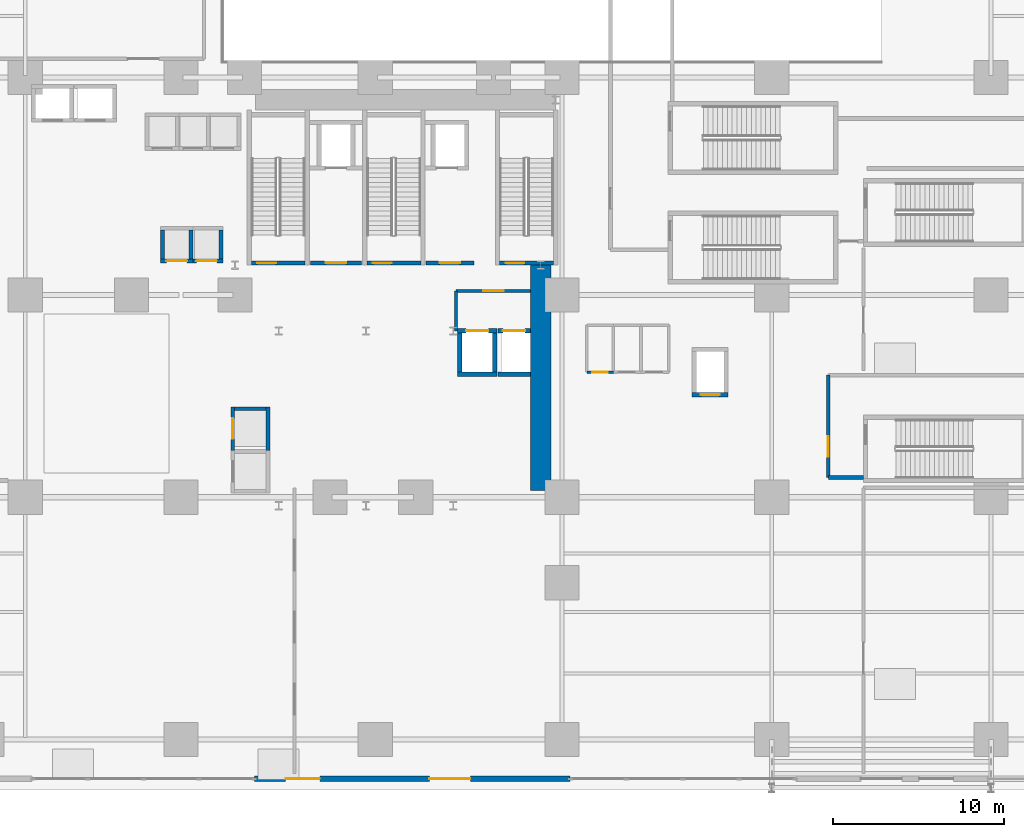
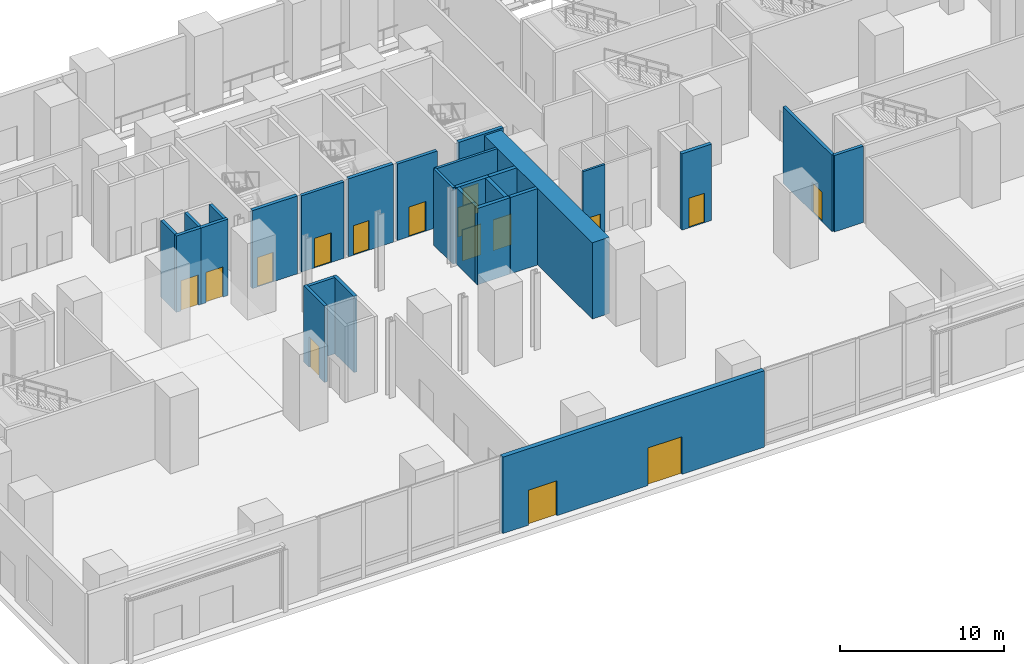
# One storey, part 14 of 25: 27 walls, 16 doors, 16 openings.
"""IFC4 building model written with IfcOpenShell, lengths in metres."""

from ifc_helpers import new_model, si_unit, direction, frame, frame_2d, origin, place, context, subcontext, project, spatial, rectangle, extrude, source, transform, mapped, material, layer, layer_set, type_object, element, fill, save


model = new_model("IFC4")

# Units and contexts
model_context = context("Model", 3, precision=1e-05, world=origin(), true_north=direction((0.0, 1.0)))
body_context = subcontext(model_context, "Body", "Model", "MODEL_VIEW")
ifc_project = project(units=[si_unit("LENGTHUNIT", "METRE"), si_unit("AREAUNIT", "SQUARE_METRE"), si_unit("VOLUMEUNIT", "CUBIC_METRE"), si_unit("PLANEANGLEUNIT", "RADIAN"), si_unit("MASSUNIT", "GRAM", prefix="KILO")], contexts=[model_context])

# Site, building, storey
site_placement = place(None, origin())
site = spatial("IfcSite", under=ifc_project, at=site_placement, CompositionType="ELEMENT")
building_placement = place(site_placement, origin())
building = spatial("IfcBuilding", under=site, at=building_placement, Name="Vardaveli Station Tower", CompositionType="ELEMENT")
storey_placement = place(building_placement, origin())
storey = spatial("IfcBuildingStorey", under=building, at=storey_placement, Name="L01", CompositionType="ELEMENT", Elevation=0.0)

# Wall
ifc_material_1 = material(Name="Concrete C70/85", Category="concrete")
ifc_layer_1 = layer(ifc_material_1, 1.199951171875, Name="Concrete C70/85")
ifc_layer_set_1 = layer_set([ifc_layer_1], Name="Concrete C70/85")
wall_type_1 = type_object("IfcWallType", Name="WAL-CORE-1200", PredefinedType="SHEAR", material=ifc_layer_set_1)
shared_shape_1 = source(origin(), body_context, "Body", "SweptSolid", [
    extrude(rectangle(XDim=13.14990234375, YDim=1.199951171875, at=frame_2d((6.574951171875, 0.0))), origin(), (0.0, 0.0, 1.0), 5.679931640625),
])
wall_1_placement = place(storey_placement, frame((46.5, 17.5, 0.0), z_axis=(0.0, 0.0, 1.0), x_axis=(0.0, 1.0, 0.0)))
element("IfcWall", 1, at=wall_1_placement, inside=storey, type_object=wall_type_1, Name="SW-L01-EAST2", PredefinedType="SHEAR", context=body_context, shape_type="MappedRepresentation", body=[
    mapped(shared_shape_1, transform((0.0, 0.0, 0.0), scale=1.0)),
])

# Wall, openings, doors
ifc_material_2 = material(Name="Precast concrete C45/55", Category="concrete")
ifc_layer_2 = layer(ifc_material_2, 0.320068359375, Name="Precast concrete C45/55")
ifc_layer_set_2 = layer_set([ifc_layer_2], Name="Precast concrete C45/55")
wall_type_2 = type_object("IfcWallType", Name="WAL-EXT-STONE-320", PredefinedType="SOLIDWALL", material=ifc_layer_set_2)
shared_shape_2 = source(origin(), body_context, "Body", "SweptSolid", [
    extrude(rectangle(XDim=18.39990234375, YDim=0.320068359375, at=frame_2d((9.199951171875, 0.0))), origin(), (0.0, 0.0, 1.0), 5.679931640625),
])
wall_2_placement = place(storey_placement, frame((29.800048828125, 0.64990234375, 0.0), z_axis=(0.0, 0.0, 1.0), x_axis=(1.0, 0.0, 0.0)))
wall_2 = element("IfcWall", 2, at=wall_2_placement, inside=storey, type_object=wall_type_2, Name="EW-L01-S3", PredefinedType="SOLIDWALL", context=body_context, shape_type="MappedRepresentation", body=[
    mapped(shared_shape_2, transform((0.0, 0.0, 0.0), scale=1.0)),
])
shared_shape_3 = source(origin(), body_context, "Body", "SweptSolid", [
    extrude(rectangle(XDim=2.0, YDim=2.60009765625, at=frame_2d((1.0, 1.300048828125))), frame((0.0, 0.169921875, 0.0), z_axis=(0.0, -1.0, 0.0), x_axis=(1.0, 0.0, 0.0)), (0.0, 0.0, 1.0), 0.340087890625),
])
opening_1_placement = place(wall_2_placement, frame((1.800048828125, 0.0, 0.0)))
opening_1 = element("IfcOpeningElement", 3, at=opening_1_placement, cuts=wall_2, Name="Opening EX-02", PredefinedType="OPENING", context=body_context, shape_type="MappedRepresentation", body=[
    mapped(shared_shape_3, transform((0.0, 0.0, 0.0), scale=1.0)),
])
shared_shape_4 = source(origin(), body_context, "Body", "SweptSolid", [
    extrude(rectangle(XDim=2.39990234375, YDim=2.800048828125, at=frame_2d((1.199951171875, 1.39990234375))), frame((0.0, 0.169921875, 0.0), z_axis=(0.0, -1.0, 0.0), x_axis=(1.0, 0.0, 0.0)), (0.0, 0.0, 1.0), 0.340087890625),
])
opening_2_placement = place(wall_2_placement, frame((10.199951171875, 0.0, 0.0)))
opening_2 = element("IfcOpeningElement", 4, at=opening_2_placement, cuts=wall_2, Name="Opening EN-D1", PredefinedType="OPENING", context=body_context, shape_type="MappedRepresentation", body=[
    mapped(shared_shape_4, transform((0.0, 0.0, 0.0), scale=1.0)),
])
ifc_material_3 = material(Name="Brushed stainless steel and glass", Category="steel")
door_type_1 = type_object("IfcDoorType", Name="DR-EX-2000x2600", OperationType="DOUBLE_DOOR_SINGLE_SWING", PredefinedType="DOOR", material=ifc_material_3)
shared_shape_5 = source(origin(), body_context, "Body", "SweptSolid", [
    extrude(rectangle(XDim=2.0, YDim=2.60009765625, at=frame_2d((1.0, 1.300048828125))), frame((0.0, 0.02490234375, 0.0), z_axis=(0.0, -1.0, 0.0), x_axis=(1.0, 0.0, 0.0)), (0.0, 0.0, 1.0), 0.050048828125),
])
door_1_placement = place(opening_1_placement, frame((2.0, 0.0, 0.0), z_axis=(0.0, 0.0, 1.0), x_axis=(-1.0, 0.0, 0.0)))
door_1 = element("IfcDoor", 5, at=door_1_placement, inside=storey, type_object=door_type_1, Name="EX-02", OperationType="DOUBLE_DOOR_SINGLE_SWING", OverallHeight=2.60009765625, OverallWidth=2.0, PredefinedType="DOOR", context=body_context, shape_type="MappedRepresentation", body=[
    mapped(shared_shape_5, transform((0.0, 0.0, 0.0), scale=1.0)),
])
fill(opening_1, door_1)
door_type_2 = type_object("IfcDoorType", Name="DR-ENT-2400x2800", OperationType="DOUBLE_DOOR_SINGLE_SWING", PredefinedType="DOOR", material=ifc_material_3)
shared_shape_6 = source(origin(), body_context, "Body", "SweptSolid", [
    extrude(rectangle(XDim=2.39990234375, YDim=2.800048828125, at=frame_2d((1.199951171875, 1.39990234375))), frame((0.0, 0.02490234375, 0.0), z_axis=(0.0, -1.0, 0.0), x_axis=(1.0, 0.0, 0.0)), (0.0, 0.0, 1.0), 0.050048828125),
])
door_2_placement = place(opening_2_placement, frame((2.39990234375, 0.0, 0.0), z_axis=(0.0, 0.0, 1.0), x_axis=(-1.0, 0.0, 0.0)))
door_2 = element("IfcDoor", 6, at=door_2_placement, inside=storey, type_object=door_type_2, Name="EN-S2", OperationType="DOUBLE_DOOR_SINGLE_SWING", OverallHeight=2.800048828125, OverallWidth=2.39990234375, PredefinedType="DOOR", context=body_context, shape_type="MappedRepresentation", body=[
    mapped(shared_shape_6, transform((0.0, 0.0, 0.0), scale=1.0)),
])
fill(opening_2, door_2)

# Wall, opening, door
ifc_material_4 = material(Name="Concrete C40/50", Category="concrete")
ifc_layer_3 = layer(ifc_material_4, 0.25, Name="Concrete C40/50")
ifc_layer_set_3 = layer_set([ifc_layer_3], Name="Concrete C40/50")
wall_type_3 = type_object("IfcWallType", Name="WAL-SHAFT-250", PredefinedType="SOLIDWALL", material=ifc_layer_set_3)
shared_shape_7 = source(origin(), body_context, "Body", "SweptSolid", [
    extrude(rectangle(XDim=3.14990234375, YDim=0.25, at=frame_2d((1.574951171875, 0.0))), origin(), (0.0, 0.0, 1.0), 5.800048828125),
])
wall_3_placement = place(storey_placement, frame((29.60009765625, 30.77490234375, 0.0), z_axis=(0.0, 0.0, 1.0), x_axis=(1.0, 0.0, 0.0)))
wall_3 = element("IfcWall", 7, at=wall_3_placement, inside=storey, type_object=wall_type_3, Name="W-L01-ST-1S", PredefinedType="SOLIDWALL", context=body_context, shape_type="MappedRepresentation", body=[
    mapped(shared_shape_7, transform((0.0, 0.0, 0.0), scale=1.0)),
])
shared_shape_8 = source(origin(), body_context, "Body", "SweptSolid", [
    extrude(rectangle(XDim=1.10009765625, YDim=2.199951171875, at=frame_2d((0.550048828125, 1.10009765625))), frame((0.0, 0.135009765625, 0.0), z_axis=(0.0, -1.0, 0.0), x_axis=(1.0, 0.0, 0.0)), (0.0, 0.0, 1.0), 0.27001953125),
])
opening_3_placement = place(wall_3_placement, frame((0.35009765625, 0.0, 0.0)))
opening_3 = element("IfcOpeningElement", 8, at=opening_3_placement, cuts=wall_3, Name="Opening D-04", PredefinedType="OPENING", context=body_context, shape_type="MappedRepresentation", body=[
    mapped(shared_shape_8, transform((0.0, 0.0, 0.0), scale=1.0)),
])
ifc_material_5 = material(Name="Steel smokeproof fire doorset", Category="steel")
door_type_3 = type_object("IfcDoorType", Name="DR-ST-1100x2200", OperationType="NOTDEFINED", PredefinedType="DOOR", material=ifc_material_5)
shared_shape_9 = source(origin(), body_context, "Body", "SweptSolid", [
    extrude(rectangle(XDim=1.10009765625, YDim=2.199951171875, at=frame_2d((0.550048828125, 1.10009765625))), frame((0.0, 0.02490234375, 0.0), z_axis=(0.0, -1.0, 0.0), x_axis=(1.0, 0.0, 0.0)), (0.0, 0.0, 1.0), 0.050048828125),
])
door_3_placement = place(opening_3_placement, origin())
door_3 = element("IfcDoor", 9, at=door_3_placement, inside=storey, type_object=door_type_3, Name="DST-1-L01", OperationType="SINGLE_SWING_LEFT", OverallHeight=2.199951171875, OverallWidth=1.10009765625, PredefinedType="DOOR", context=body_context, shape_type="MappedRepresentation", body=[
    mapped(shared_shape_9, transform((0.0, 0.0, 0.0), scale=1.0)),
])
fill(opening_3, door_3)

wall_4_placement = place(storey_placement, frame((36.35009765625, 30.77490234375, 0.0), z_axis=(0.0, 0.0, 1.0), x_axis=(1.0, 0.0, 0.0)))
wall_4 = element("IfcWall", 10, at=wall_4_placement, inside=storey, type_object=wall_type_3, Name="W-L01-ST-2S", PredefinedType="SOLIDWALL", context=body_context, shape_type="MappedRepresentation", body=[
    mapped(shared_shape_7, transform((0.0, 0.0, 0.0), scale=1.0)),
])
opening_4_placement = place(wall_4_placement, frame((0.35009765625, 0.0, 0.0)))
opening_4 = element("IfcOpeningElement", 11, at=opening_4_placement, cuts=wall_4, Name="Opening D-04", PredefinedType="OPENING", context=body_context, shape_type="MappedRepresentation", body=[
    mapped(shared_shape_8, transform((0.0, 0.0, 0.0), scale=1.0)),
])
door_4_placement = place(opening_4_placement, origin())
door_4 = element("IfcDoor", 12, at=door_4_placement, inside=storey, type_object=door_type_3, Name="DST-2-L01", OperationType="SINGLE_SWING_LEFT", OverallHeight=2.199951171875, OverallWidth=1.10009765625, PredefinedType="DOOR", context=body_context, shape_type="MappedRepresentation", body=[
    mapped(shared_shape_9, transform((0.0, 0.0, 0.0), scale=1.0)),
])
fill(opening_4, door_4)

wall_5_placement = place(storey_placement, frame((44.10009765625, 30.77490234375, 0.0), z_axis=(0.0, 0.0, 1.0), x_axis=(1.0, 0.0, 0.0)))
wall_5 = element("IfcWall", 13, at=wall_5_placement, inside=storey, type_object=wall_type_3, Name="W-L01-ST-3S", PredefinedType="SOLIDWALL", context=body_context, shape_type="MappedRepresentation", body=[
    mapped(shared_shape_7, transform((0.0, 0.0, 0.0), scale=1.0)),
])
opening_5_placement = place(wall_5_placement, frame((0.35009765625, 0.0, 0.0)))
opening_5 = element("IfcOpeningElement", 14, at=opening_5_placement, cuts=wall_5, Name="Opening D-04", PredefinedType="OPENING", context=body_context, shape_type="MappedRepresentation", body=[
    mapped(shared_shape_8, transform((0.0, 0.0, 0.0), scale=1.0)),
])
door_5_placement = place(opening_5_placement, origin())
door_5 = element("IfcDoor", 15, at=door_5_placement, inside=storey, type_object=door_type_3, Name="DST-3-L01", OperationType="SINGLE_SWING_LEFT", OverallHeight=2.199951171875, OverallWidth=1.10009765625, PredefinedType="DOOR", context=body_context, shape_type="MappedRepresentation", body=[
    mapped(shared_shape_9, transform((0.0, 0.0, 0.0), scale=1.0)),
])
fill(opening_5, door_5)

ifc_layer_4 = layer(ifc_material_4, 0.219970703125, Name="Concrete C40/50")
ifc_layer_set_4 = layer_set([ifc_layer_4], Name="Concrete C40/50")
wall_type_4 = type_object("IfcWallType", Name="WAL-FFLOBBY-220", PredefinedType="SOLIDWALL", material=ifc_layer_set_4)
shared_shape_10 = source(origin(), body_context, "Body", "SweptSolid", [
    extrude(rectangle(XDim=3.0, YDim=0.219970703125, at=frame_2d((1.5, 0.0))), origin(), (0.0, 0.0, 1.0), 5.679931640625),
])
wall_6_placement = place(storey_placement, frame((33.050048828125, 30.780029296875, 0.0), z_axis=(0.0, 0.0, 1.0), x_axis=(1.0, 0.0, 0.0)))
wall_6 = element("IfcWall", 16, at=wall_6_placement, inside=storey, type_object=wall_type_4, Name="W-L01-FFL1S", PredefinedType="SOLIDWALL", context=body_context, shape_type="MappedRepresentation", body=[
    mapped(shared_shape_10, transform((0.0, 0.0, 0.0), scale=1.0)),
])
shared_shape_11 = source(origin(), body_context, "Body", "SweptSolid", [
    extrude(rectangle(XDim=1.199951171875, YDim=2.199951171875, at=frame_2d((0.60009765625, 1.10009765625))), frame((0.0, 0.1201171875, 0.0), z_axis=(0.0, -1.0, 0.0), x_axis=(1.0, 0.0, 0.0)), (0.0, 0.0, 1.0), 0.239990234375),
])
opening_6_placement = place(wall_6_placement, frame((0.89990234375, 0.0, 0.0)))
opening_6 = element("IfcOpeningElement", 17, at=opening_6_placement, cuts=wall_6, Name="Opening D-03", PredefinedType="OPENING", context=body_context, shape_type="MappedRepresentation", body=[
    mapped(shared_shape_11, transform((0.0, 0.0, 0.0), scale=1.0)),
])
door_type_4 = type_object("IfcDoorType", Name="DR-FFL-1200x2200", OperationType="NOTDEFINED", PredefinedType="DOOR", material=ifc_material_5)
shared_shape_12 = source(origin(), body_context, "Body", "SweptSolid", [
    extrude(rectangle(XDim=1.199951171875, YDim=2.199951171875, at=frame_2d((0.60009765625, 1.10009765625))), frame((0.0, 0.02490234375, 0.0), z_axis=(0.0, -1.0, 0.0), x_axis=(1.0, 0.0, 0.0)), (0.0, 0.0, 1.0), 0.050048828125),
])
door_6_placement = place(opening_6_placement, origin())
door_6 = element("IfcDoor", 18, at=door_6_placement, inside=storey, type_object=door_type_4, Name="DFFL1-L01", OperationType="SINGLE_SWING_LEFT", OverallHeight=2.199951171875, OverallWidth=1.199951171875, PredefinedType="DOOR", context=body_context, shape_type="MappedRepresentation", body=[
    mapped(shared_shape_12, transform((0.0, 0.0, 0.0), scale=1.0)),
])
fill(opening_6, door_6)

shared_shape_13 = source(origin(), body_context, "Body", "SweptSolid", [
    extrude(rectangle(XDim=2.800048828125, YDim=0.219970703125, at=frame_2d((1.39990234375, 0.0))), origin(), (0.0, 0.0, 1.0), 5.679931640625),
])
wall_7_placement = place(storey_placement, frame((39.800048828125, 30.780029296875, 0.0), z_axis=(0.0, 0.0, 1.0), x_axis=(1.0, 0.0, 0.0)))
wall_7 = element("IfcWall", 19, at=wall_7_placement, inside=storey, type_object=wall_type_4, Name="W-L01-FFL2S", PredefinedType="SOLIDWALL", context=body_context, shape_type="MappedRepresentation", body=[
    mapped(shared_shape_13, transform((0.0, 0.0, 0.0), scale=1.0)),
])
opening_7_placement = place(wall_7_placement, frame((0.800048828125, 0.0, 0.0)))
opening_7 = element("IfcOpeningElement", 20, at=opening_7_placement, cuts=wall_7, Name="Opening D-03", PredefinedType="OPENING", context=body_context, shape_type="MappedRepresentation", body=[
    mapped(shared_shape_11, transform((0.0, 0.0, 0.0), scale=1.0)),
])
door_7_placement = place(opening_7_placement, origin())
door_7 = element("IfcDoor", 21, at=door_7_placement, inside=storey, type_object=door_type_4, Name="DFFL2-L01", OperationType="SINGLE_SWING_RIGHT", OverallHeight=2.199951171875, OverallWidth=1.199951171875, PredefinedType="DOOR", context=body_context, shape_type="MappedRepresentation", body=[
    mapped(shared_shape_12, transform((0.0, 0.0, 0.0), scale=1.0)),
])
fill(opening_7, door_7)

shared_shape_14 = source(origin(), body_context, "Body", "SweptSolid", [
    extrude(rectangle(XDim=2.099853515625, YDim=0.25, at=frame_2d((1.0498046875, 0.0))), origin(), (0.0, 0.0, 1.0), 5.679931640625),
])
wall_8_placement = place(storey_placement, frame((55.35009765625, 23.074951171875, 0.0), z_axis=(0.0, 0.0, 1.0), x_axis=(1.0, 0.0, 0.0)))
wall_8 = element("IfcWall", 22, at=wall_8_placement, inside=storey, type_object=wall_type_3, Name="SHW-STN-02-L01-S", PredefinedType="SOLIDWALL", context=body_context, shape_type="MappedRepresentation", body=[
    mapped(shared_shape_14, transform((0.0, 0.0, 0.0), scale=1.0)),
])
opening_8_placement = place(wall_8_placement, frame((0.5, 0.0, 0.0)))
opening_8 = element("IfcOpeningElement", 23, at=opening_8_placement, cuts=wall_8, Name="Opening LD-01", PredefinedType="OPENING", context=body_context, shape_type="MappedRepresentation", body=[
    mapped(shared_shape_8, transform((0.0, 0.0, 0.0), scale=1.0)),
])
ifc_material_6 = material(Name="Brushed stainless steel", Category="steel")
door_type_5 = type_object("IfcDoorType", Name="DR-LD-1100x2200", OperationType="DOUBLE_DOOR_SLIDING", PredefinedType="DOOR", material=ifc_material_6)
door_8_placement = place(opening_8_placement, origin())
door_8 = element("IfcDoor", 24, at=door_8_placement, inside=storey, type_object=door_type_5, Name="LD-STN-02-L01", OperationType="DOUBLE_DOOR_SLIDING", OverallHeight=2.199951171875, OverallWidth=1.10009765625, PredefinedType="DOOR", context=body_context, shape_type="MappedRepresentation", body=[
    mapped(shared_shape_9, transform((0.0, 0.0, 0.0), scale=1.0)),
])
fill(opening_8, door_8)

shared_shape_15 = source(origin(), body_context, "Body", "SweptSolid", [
    extrude(rectangle(XDim=1.89013671875, YDim=0.219970703125, at=frame_2d((0.945068359375, 0.0))), origin(), (0.0, 0.0, 1.0), 5.679931640625),
])
wall_9_placement = place(storey_placement, frame((24.304931640625, 30.889892578125, 0.0), z_axis=(0.0, 0.0, 1.0), x_axis=(1.0, 0.0, 0.0)))
wall_9 = element("IfcWall", 25, at=wall_9_placement, inside=storey, type_object=wall_type_4, Name="SHW-SHU-01-L01-S", PredefinedType="SOLIDWALL", context=body_context, shape_type="MappedRepresentation", body=[
    mapped(shared_shape_15, transform((0.0, 0.0, 0.0), scale=1.0)),
])
shared_shape_16 = source(origin(), body_context, "Body", "SweptSolid", [
    extrude(rectangle(XDim=1.199951171875, YDim=2.25, at=frame_2d((0.60009765625, 1.125))), frame((0.0, 0.1201171875, 0.0), z_axis=(0.0, -1.0, 0.0), x_axis=(1.0, 0.0, 0.0)), (0.0, 0.0, 1.0), 0.239990234375),
])
opening_9_placement = place(wall_9_placement, frame((0.344970703125, 0.0, 0.0)))
opening_9 = element("IfcOpeningElement", 26, at=opening_9_placement, cuts=wall_9, Name="Opening LD-02", PredefinedType="OPENING", context=body_context, shape_type="MappedRepresentation", body=[
    mapped(shared_shape_16, transform((0.0, 0.0, 0.0), scale=1.0)),
])
door_type_6 = type_object("IfcDoorType", Name="DR-LD-1200x2250", OperationType="DOUBLE_DOOR_SLIDING", PredefinedType="DOOR", material=ifc_material_6)
shared_shape_17 = source(origin(), body_context, "Body", "SweptSolid", [
    extrude(rectangle(XDim=1.199951171875, YDim=2.25, at=frame_2d((0.60009765625, 1.125))), frame((0.0, 0.02490234375, 0.0), z_axis=(0.0, -1.0, 0.0), x_axis=(1.0, 0.0, 0.0)), (0.0, 0.0, 1.0), 0.050048828125),
])
door_9_placement = place(opening_9_placement, origin())
door_9 = element("IfcDoor", 27, at=door_9_placement, inside=storey, type_object=door_type_6, Name="LD-SHU-01-L01", OperationType="DOUBLE_DOOR_SLIDING", OverallHeight=2.25, OverallWidth=1.199951171875, PredefinedType="DOOR", context=body_context, shape_type="MappedRepresentation", body=[
    mapped(shared_shape_17, transform((0.0, 0.0, 0.0), scale=1.0)),
])
fill(opening_9, door_9)

wall_10_placement = place(storey_placement, frame((26.054931640625, 30.889892578125, 0.0), z_axis=(0.0, 0.0, 1.0), x_axis=(1.0, 0.0, 0.0)))
wall_10 = element("IfcWall", 28, at=wall_10_placement, inside=storey, type_object=wall_type_4, Name="SHW-SHU-02-L01-S", PredefinedType="SOLIDWALL", context=body_context, shape_type="MappedRepresentation", body=[
    mapped(shared_shape_15, transform((0.0, 0.0, 0.0), scale=1.0)),
])
opening_10_placement = place(wall_10_placement, frame((0.344970703125, 0.0, 0.0)))
opening_10 = element("IfcOpeningElement", 29, at=opening_10_placement, cuts=wall_10, Name="Opening LD-02", PredefinedType="OPENING", context=body_context, shape_type="MappedRepresentation", body=[
    mapped(shared_shape_16, transform((0.0, 0.0, 0.0), scale=1.0)),
])
door_10_placement = place(opening_10_placement, origin())
door_10 = element("IfcDoor", 30, at=door_10_placement, inside=storey, type_object=door_type_6, Name="LD-SHU-02-L01", OperationType="DOUBLE_DOOR_SLIDING", OverallHeight=2.25, OverallWidth=1.199951171875, PredefinedType="DOOR", context=body_context, shape_type="MappedRepresentation", body=[
    mapped(shared_shape_17, transform((0.0, 0.0, 0.0), scale=1.0)),
])
fill(opening_10, door_10)

# Walls
shared_shape_18 = source(origin(), body_context, "Body", "SweptSolid", [
    extrude(rectangle(XDim=1.699951171875, YDim=0.219970703125, at=frame_2d((0.85009765625, 0.0))), origin(), (0.0, 0.0, 1.0), 5.679931640625),
])
for number, where, z_axis, x_axis, name in (
    (31, (24.4150390625, 31.0, 0.0), (0.0, 0.0, 1.0), (0.0, 1.0, 0.0), "SHW-SHU-01-L01-W"),
    (32, (26.0849609375, 31.0, 0.0), (0.0, 0.0, 1.0), (0.0, 1.0, 0.0), "SHW-SHU-01-L01-E"),
    (33, (27.8349609375, 31.0, 0.0), (0.0, 0.0, 1.0), (0.0, 1.0, 0.0), "SHW-SHU-02-L01-E"),
):
    element("IfcWall", number, at=place(storey_placement, frame(where, z_axis=z_axis, x_axis=x_axis)), inside=storey, type_object=wall_type_4, Name=name, PredefinedType="SOLIDWALL", context=body_context, shape_type="MappedRepresentation", body=[
        mapped(shared_shape_18, transform((0.0, 0.0, 0.0), scale=1.0)),
    ])
shared_shape_19 = source(origin(), body_context, "Body", "SweptSolid", [
    extrude(rectangle(XDim=1.85009765625, YDim=0.219970703125, at=frame_2d((0.925048828125, 0.0))), origin(), (0.0, 0.0, 1.0), 5.679931640625),
])
wall_11_placement = place(storey_placement, frame((28.625, 22.260009765625, 0.0), z_axis=(0.0, 0.0, 1.0), x_axis=(1.0, 0.0, 0.0)))
element("IfcWall", 34, at=wall_11_placement, inside=storey, type_object=wall_type_4, Name="SHW-OBS-02-L01-N", PredefinedType="SOLIDWALL", context=body_context, shape_type="MappedRepresentation", body=[
    mapped(shared_shape_19, transform((0.0, 0.0, 0.0), scale=1.0)),
])

# Wall, opening, door
shared_shape_20 = source(origin(), body_context, "Body", "SweptSolid", [
    extrude(rectangle(XDim=2.5400390625, YDim=0.219970703125, at=frame_2d((1.27001953125, 0.0))), origin(), (0.0, 0.0, 1.0), 5.679931640625),
])
wall_12_placement = place(storey_placement, frame((28.514892578125, 19.830078125, 0.0), z_axis=(0.0, 0.0, 1.0), x_axis=(0.0, 1.0, 0.0)))
wall_12 = element("IfcWall", 35, at=wall_12_placement, inside=storey, type_object=wall_type_4, Name="SHW-OBS-02-L01-W", PredefinedType="SOLIDWALL", context=body_context, shape_type="MappedRepresentation", body=[
    mapped(shared_shape_20, transform((0.0, 0.0, 0.0), scale=1.0)),
])
opening_11_placement = place(wall_12_placement, frame((0.669921875, 0.0, 0.0)))
opening_11 = element("IfcOpeningElement", 36, at=opening_11_placement, cuts=wall_12, Name="Opening LD-02", PredefinedType="OPENING", context=body_context, shape_type="MappedRepresentation", body=[
    mapped(shared_shape_16, transform((0.0, 0.0, 0.0), scale=1.0)),
])
door_11_placement = place(opening_11_placement, origin())
door_11 = element("IfcDoor", 37, at=door_11_placement, inside=storey, type_object=door_type_6, Name="LD-OBS-02-L01", OperationType="DOUBLE_DOOR_SLIDING", OverallHeight=2.25, OverallWidth=1.199951171875, PredefinedType="DOOR", context=body_context, shape_type="MappedRepresentation", body=[
    mapped(shared_shape_17, transform((0.0, 0.0, 0.0), scale=1.0)),
])
fill(opening_11, door_11)

# Walls
wall_13_placement = place(storey_placement, frame((30.5849609375, 19.830078125, 0.0), z_axis=(0.0, 0.0, 1.0), x_axis=(0.0, 1.0, 0.0)))
element("IfcWall", 38, at=wall_13_placement, inside=storey, type_object=wall_type_4, Name="SHW-OBS-02-L01-E", PredefinedType="SOLIDWALL", context=body_context, shape_type="MappedRepresentation", body=[
    mapped(shared_shape_20, transform((0.0, 0.0, 0.0), scale=1.0)),
])
shared_shape_21 = source(origin(), body_context, "Body", "SweptSolid", [
    extrude(rectangle(XDim=2.300048828125, YDim=0.25, at=frame_2d((1.14990234375, 0.0))), origin(), (0.0, 0.0, 1.0), 5.679931640625),
])
wall_14_placement = place(storey_placement, frame((41.64990234375, 24.27490234375, 0.0), z_axis=(0.0, 0.0, 1.0), x_axis=(1.0, 0.0, 0.0)))
element("IfcWall", 39, at=wall_14_placement, inside=storey, type_object=wall_type_3, Name="SHW-SRV-01-L01-S", PredefinedType="SOLIDWALL", context=body_context, shape_type="MappedRepresentation", body=[
    mapped(shared_shape_21, transform((0.0, 0.0, 0.0), scale=1.0)),
])

# Wall, opening, door
wall_15_placement = place(storey_placement, frame((41.64990234375, 26.824951171875, 0.0), z_axis=(0.0, 0.0, 1.0), x_axis=(1.0, 0.0, 0.0)))
wall_15 = element("IfcWall", 40, at=wall_15_placement, inside=storey, type_object=wall_type_3, Name="SHW-SRV-01-L01-N", PredefinedType="SOLIDWALL", context=body_context, shape_type="MappedRepresentation", body=[
    mapped(shared_shape_21, transform((0.0, 0.0, 0.0), scale=1.0)),
])
shared_shape_22 = source(origin(), body_context, "Body", "SweptSolid", [
    extrude(rectangle(XDim=1.300048828125, YDim=2.300048828125, at=frame_2d((0.64990234375, 1.14990234375))), frame((0.0, 0.135009765625, 0.0), z_axis=(0.0, -1.0, 0.0), x_axis=(1.0, 0.0, 0.0)), (0.0, 0.0, 1.0), 0.27001953125),
])
opening_12_placement = place(wall_15_placement, frame((0.5, 0.0, 0.0)))
opening_12 = element("IfcOpeningElement", 41, at=opening_12_placement, cuts=wall_15, Name="Opening LD-03", PredefinedType="OPENING", context=body_context, shape_type="MappedRepresentation", body=[
    mapped(shared_shape_22, transform((0.0, 0.0, 0.0), scale=1.0)),
])
door_type_7 = type_object("IfcDoorType", Name="DR-LD-1300x2300", OperationType="DOUBLE_DOOR_SLIDING", PredefinedType="DOOR", material=ifc_material_6)
shared_shape_23 = source(origin(), body_context, "Body", "SweptSolid", [
    extrude(rectangle(XDim=1.300048828125, YDim=2.300048828125, at=frame_2d((0.64990234375, 1.14990234375))), frame((0.0, 0.02490234375, 0.0), z_axis=(0.0, -1.0, 0.0), x_axis=(1.0, 0.0, 0.0)), (0.0, 0.0, 1.0), 0.050048828125),
])
door_12_placement = place(opening_12_placement, origin())
door_12 = element("IfcDoor", 42, at=door_12_placement, inside=storey, type_object=door_type_7, Name="LD-SRV-01-L01", OperationType="DOUBLE_DOOR_SLIDING", OverallHeight=2.300048828125, OverallWidth=1.300048828125, PredefinedType="DOOR", context=body_context, shape_type="MappedRepresentation", body=[
    mapped(shared_shape_23, transform((0.0, 0.0, 0.0), scale=1.0)),
])
fill(opening_12, door_12)

# Walls
for number, where, z_axis, x_axis, name in (
    (43, (41.77490234375, 24.39990234375, 0.0), (0.0, 0.0, 1.0), (0.0, 1.0, 0.0), "SHW-SRV-01-L01-W"),
    (44, (43.824951171875, 24.39990234375, 0.0), (0.0, 0.0, 1.0), (0.0, 1.0, 0.0), "SHW-SRV-01-L01-E"),
):
    element("IfcWall", number, at=place(storey_placement, frame(where, z_axis=z_axis, x_axis=x_axis)), inside=storey, type_object=wall_type_3, Name=name, PredefinedType="SOLIDWALL", context=body_context, shape_type="MappedRepresentation", body=[
        mapped(shared_shape_21, transform((0.0, 0.0, 0.0), scale=1.0)),
    ])
shared_shape_24 = source(origin(), body_context, "Body", "SweptSolid", [
    extrude(rectangle(XDim=1.89990234375, YDim=0.25, at=frame_2d((0.949951171875, 0.0))), origin(), (0.0, 0.0, 1.0), 5.679931640625),
])
wall_16_placement = place(storey_placement, frame((44.0, 24.27490234375, 0.0), z_axis=(0.0, 0.0, 1.0), x_axis=(1.0, 0.0, 0.0)))
element("IfcWall", 45, at=wall_16_placement, inside=storey, type_object=wall_type_3, Name="SHW-SRV-02-L01-S", PredefinedType="SOLIDWALL", context=body_context, shape_type="MappedRepresentation", body=[
    mapped(shared_shape_24, transform((0.0, 0.0, 0.0), scale=1.0)),
])

# Wall, opening, door
wall_17_placement = place(storey_placement, frame((44.0, 26.824951171875, 0.0), z_axis=(0.0, 0.0, 1.0), x_axis=(1.0, 0.0, 0.0)))
wall_17 = element("IfcWall", 46, at=wall_17_placement, inside=storey, type_object=wall_type_3, Name="SHW-SRV-02-L01-N", PredefinedType="SOLIDWALL", context=body_context, shape_type="MappedRepresentation", body=[
    mapped(shared_shape_24, transform((0.0, 0.0, 0.0), scale=1.0)),
])
opening_13_placement = place(wall_17_placement, frame((0.300048828125, 0.0, 0.0)))
opening_13 = element("IfcOpeningElement", 47, at=opening_13_placement, cuts=wall_17, Name="Opening LD-03", PredefinedType="OPENING", context=body_context, shape_type="MappedRepresentation", body=[
    mapped(shared_shape_22, transform((0.0, 0.0, 0.0), scale=1.0)),
])
door_13_placement = place(opening_13_placement, origin())
door_13 = element("IfcDoor", 48, at=door_13_placement, inside=storey, type_object=door_type_7, Name="LD-SRV-02-L01", OperationType="DOUBLE_DOOR_SLIDING", OverallHeight=2.300048828125, OverallWidth=1.300048828125, PredefinedType="DOOR", context=body_context, shape_type="MappedRepresentation", body=[
    mapped(shared_shape_23, transform((0.0, 0.0, 0.0), scale=1.0)),
])
fill(opening_13, door_13)

shared_shape_25 = source(origin(), body_context, "Body", "SweptSolid", [
    extrude(rectangle(XDim=5.969970703125, YDim=0.219970703125, at=frame_2d((2.98486328125, 0.0))), origin(), (0.0, 0.0, 1.0), 5.679931640625),
])
wall_18_placement = place(storey_placement, frame((63.300048828125, 18.25, 0.0), z_axis=(0.0, 0.0, 1.0), x_axis=(0.0, 1.0, 0.0)))
wall_18 = element("IfcWall", 49, at=wall_18_placement, inside=storey, type_object=wall_type_4, Name="W-L01-PXPC1-W", PredefinedType="SOLIDWALL", context=body_context, shape_type="MappedRepresentation", body=[
    mapped(shared_shape_25, transform((0.0, 0.0, 0.0), scale=1.0)),
])
opening_14_placement = place(wall_18_placement, frame((1.199951171875, 0.0, 0.0)))
opening_14 = element("IfcOpeningElement", 50, at=opening_14_placement, cuts=wall_18, Name="Opening D-03", PredefinedType="OPENING", context=body_context, shape_type="MappedRepresentation", body=[
    mapped(shared_shape_11, transform((0.0, 0.0, 0.0), scale=1.0)),
])
door_14_placement = place(opening_14_placement, origin())
door_14 = element("IfcDoor", 51, at=door_14_placement, inside=storey, type_object=door_type_4, Name="D-L01-PXPC1", OperationType="SINGLE_SWING_RIGHT", OverallHeight=2.199951171875, OverallWidth=1.199951171875, PredefinedType="DOOR", context=body_context, shape_type="MappedRepresentation", body=[
    mapped(shared_shape_12, transform((0.0, 0.0, 0.0), scale=1.0)),
])
fill(opening_14, door_14)

ifc_material_7 = material(Name="Fire-rated gypsum stud partition")
ifc_layer_5 = layer(ifc_material_7, 0.179931640625, Name="Fire-rated gypsum stud partition")
ifc_layer_set_5 = layer_set([ifc_layer_5], Name="Fire-rated gypsum stud partition")
wall_type_5 = type_object("IfcWallType", Name="WAL-CORR-180", PredefinedType="PARTITIONING", material=ifc_layer_set_5)
shared_shape_26 = source(origin(), body_context, "Body", "SweptSolid", [
    extrude(rectangle(XDim=4.347900390625, YDim=0.179931640625, at=frame_2d((2.173828125, 0.0))), origin(), (0.0, 0.0, 1.0), 5.679931640625),
])
wall_19_placement = place(storey_placement, frame((41.550048828125, 29.14990234375, 0.0), z_axis=(0.0, 0.0, 1.0), x_axis=(1.0, 0.0, 0.0)))
wall_19 = element("IfcWall", 52, at=wall_19_placement, inside=storey, type_object=wall_type_5, Name="W-L01-SVFN", PredefinedType="PARTITIONING", context=body_context, shape_type="MappedRepresentation", body=[
    mapped(shared_shape_26, transform((0.0, 0.0, 0.0), scale=1.0)),
])
shared_shape_27 = source(origin(), body_context, "Body", "SweptSolid", [
    extrude(rectangle(XDim=1.199951171875, YDim=2.199951171875, at=frame_2d((0.60009765625, 1.10009765625))), frame((0.0, 0.10009765625, 0.0), z_axis=(0.0, -1.0, 0.0), x_axis=(1.0, 0.0, 0.0)), (0.0, 0.0, 1.0), 0.199951171875),
])
opening_15_placement = place(wall_19_placement, frame((1.60009765625, 0.0, 0.0)))
opening_15 = element("IfcOpeningElement", 53, at=opening_15_placement, cuts=wall_19, Name="Opening D-03", PredefinedType="OPENING", context=body_context, shape_type="MappedRepresentation", body=[
    mapped(shared_shape_27, transform((0.0, 0.0, 0.0), scale=1.0)),
])
door_15_placement = place(opening_15_placement, origin())
door_15 = element("IfcDoor", 54, at=door_15_placement, inside=storey, type_object=door_type_4, Name="D-L01-SVF", OperationType="SINGLE_SWING_RIGHT", OverallHeight=2.199951171875, OverallWidth=1.199951171875, PredefinedType="DOOR", context=body_context, shape_type="MappedRepresentation", body=[
    mapped(shared_shape_12, transform((0.0, 0.0, 0.0), scale=1.0)),
])
fill(opening_15, door_15)

ifc_material_8 = material(Name="Moisture-resistant stud partition")
ifc_layer_6 = layer(ifc_material_8, 0.14990234375, Name="Moisture-resistant stud partition")
ifc_layer_set_6 = layer_set([ifc_layer_6], Name="Moisture-resistant stud partition")
wall_type_6 = type_object("IfcWallType", Name="WAL-WET-150", PredefinedType="PARTITIONING", material=ifc_layer_set_6)
shared_shape_28 = source(origin(), body_context, "Body", "SweptSolid", [
    extrude(rectangle(XDim=1.550048828125, YDim=0.14990234375, at=frame_2d((0.77490234375, 0.0))), origin(), (0.0, 0.0, 1.0), 5.679931640625),
])
wall_20_placement = place(storey_placement, frame((49.199951171875, 24.39990234375, 0.0), z_axis=(0.0, 0.0, 1.0), x_axis=(1.0, 0.0, 0.0)))
wall_20 = element("IfcWall", 55, at=wall_20_placement, inside=storey, type_object=wall_type_6, Name="W-L01-WCA-S", PredefinedType="PARTITIONING", context=body_context, shape_type="MappedRepresentation", body=[
    mapped(shared_shape_28, transform((0.0, 0.0, 0.0), scale=1.0)),
])
shared_shape_29 = source(origin(), body_context, "Body", "SweptSolid", [
    extrude(rectangle(XDim=0.919921875, YDim=2.10009765625, at=frame_2d((0.4599609375, 1.050048828125))), frame((0.0, 0.0849609375, 0.0), z_axis=(0.0, -1.0, 0.0), x_axis=(1.0, 0.0, 0.0)), (0.0, 0.0, 1.0), 0.169921875),
])
opening_16_placement = place(wall_20_placement, frame((0.300048828125, 0.0, 0.0)))
opening_16 = element("IfcOpeningElement", 56, at=opening_16_placement, cuts=wall_20, Name="Opening D-07", PredefinedType="OPENING", context=body_context, shape_type="MappedRepresentation", body=[
    mapped(shared_shape_29, transform((0.0, 0.0, 0.0), scale=1.0)),
])
ifc_material_9 = material(Name="Moisture-resistant hardwood door", Category="wood")
door_type_8 = type_object("IfcDoorType", Name="DR-WC-920x2100", OperationType="NOTDEFINED", PredefinedType="DOOR", material=ifc_material_9)
shared_shape_30 = source(origin(), body_context, "Body", "SweptSolid", [
    extrude(rectangle(XDim=0.919921875, YDim=2.10009765625, at=frame_2d((0.4599609375, 1.050048828125))), frame((0.0, 0.02490234375, 0.0), z_axis=(0.0, -1.0, 0.0), x_axis=(1.0, 0.0, 0.0)), (0.0, 0.0, 1.0), 0.050048828125),
])
door_16_placement = place(opening_16_placement, origin())
door_16 = element("IfcDoor", 57, at=door_16_placement, inside=storey, type_object=door_type_8, Name="D-L01-WCA", OperationType="SINGLE_SWING_LEFT", OverallHeight=2.10009765625, OverallWidth=0.919921875, PredefinedType="DOOR", context=body_context, shape_type="MappedRepresentation", body=[
    mapped(shared_shape_30, transform((0.0, 0.0, 0.0), scale=1.0)),
])
fill(opening_16, door_16)

# Walls
shared_shape_31 = source(origin(), body_context, "Body", "SweptSolid", [
    extrude(rectangle(XDim=2.349853515625, YDim=0.179931640625, at=frame_2d((1.1748046875, 0.0))), origin(), (0.0, 0.0, 1.0), 5.679931640625),
])
wall_21_placement = place(storey_placement, frame((41.550048828125, 26.800048828125, 0.0), z_axis=(0.0, 0.0, 1.0), x_axis=(0.0, 1.0, 0.0)))
element("IfcWall", 58, at=wall_21_placement, inside=storey, type_object=wall_type_5, Name="W-L01-SVFW", PredefinedType="PARTITIONING", context=body_context, shape_type="MappedRepresentation", body=[
    mapped(shared_shape_31, transform((0.0, 0.0, 0.0), scale=1.0)),
])
shared_shape_32 = source(origin(), body_context, "Body", "SweptSolid", [
    extrude(rectangle(XDim=2.0478515625, YDim=0.219970703125, at=frame_2d((1.02392578125, 0.0))), origin(), (0.0, 0.0, 1.0), 5.679931640625),
])
wall_22_placement = place(storey_placement, frame((63.300048828125, 18.25, 0.0), z_axis=(0.0, 0.0, 1.0), x_axis=(1.0, 0.0, 0.0)))
element("IfcWall", 59, at=wall_22_placement, inside=storey, type_object=wall_type_4, Name="W-L01-PXPC1-S1", PredefinedType="SOLIDWALL", context=body_context, shape_type="MappedRepresentation", body=[
    mapped(shared_shape_32, transform((0.0, 0.0, 0.0), scale=1.0)),
])

save(model, "model.ifc")
